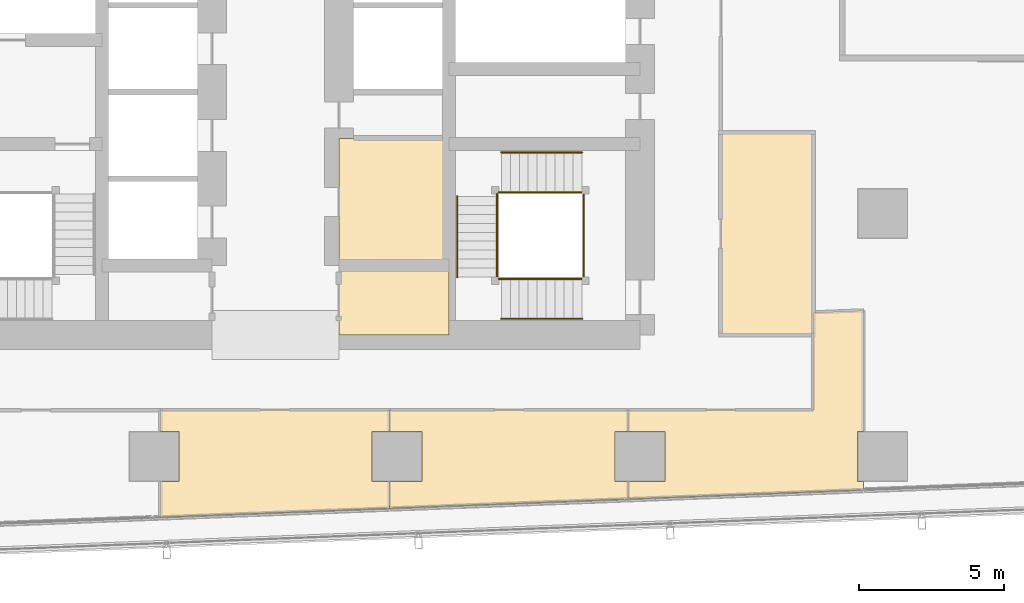
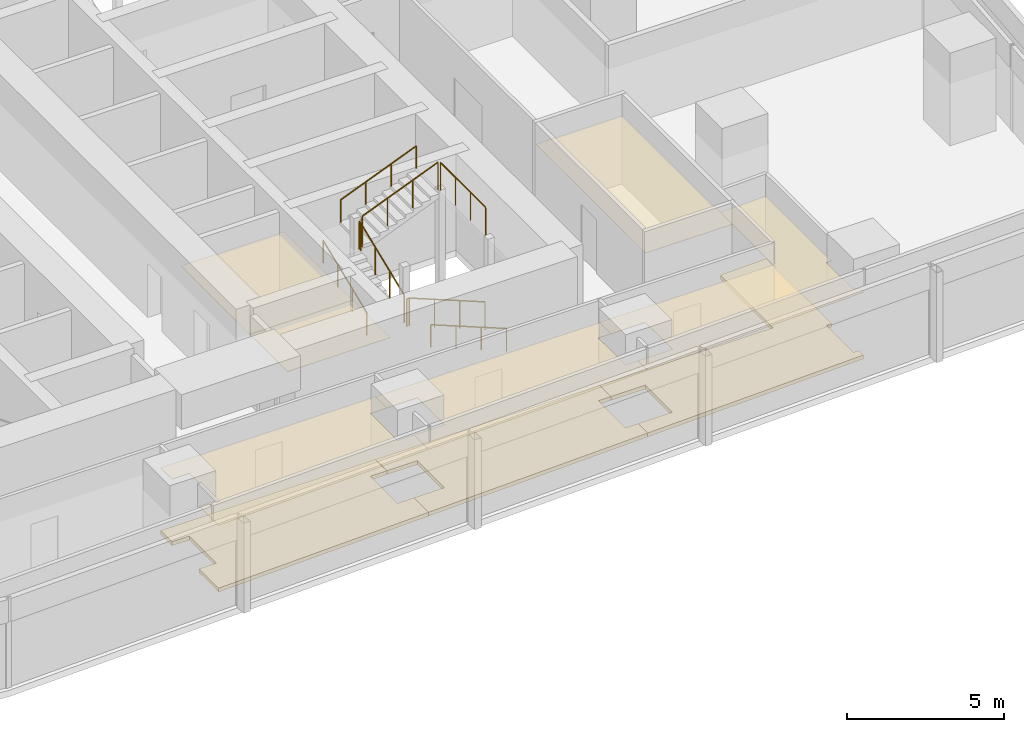
# One storey, part 37 of 40: 10 railings, 9 coverings.
"""IFC4 building model written with IfcOpenShell, lengths in metres."""

from ifc_helpers import new_model, si_unit, direction, frame, origin, origin_2d, place, context, subcontext, project, spatial, polyline, circle, outline, extrude, material, layer, layer_set, type_object, element, save


model = new_model("IFC4")

# Units and contexts
model_context = context("Model", 3, precision=1e-05, world=origin(), true_north=direction((0.0, 1.0)))
body_context = subcontext(model_context, "Body", "Model", "MODEL_VIEW")
ifc_project = project(units=[si_unit("LENGTHUNIT", "METRE"), si_unit("AREAUNIT", "SQUARE_METRE"), si_unit("VOLUMEUNIT", "CUBIC_METRE"), si_unit("PLANEANGLEUNIT", "RADIAN"), si_unit("MASSUNIT", "GRAM", prefix="KILO")], contexts=[model_context])

# Site, building, storey
site_placement = place(None, origin())
site = spatial("IfcSite", under=ifc_project, at=site_placement, CompositionType="ELEMENT")
building_placement = place(site_placement, origin())
building = spatial("IfcBuilding", under=site, at=building_placement, Name="Rekha Terrace Tower", CompositionType="ELEMENT")
storey_placement = place(building_placement, frame((0.0, 0.0, 99.050048828125)))
storey = spatial("IfcBuildingStorey", under=building, at=storey_placement, Name="L24", CompositionType="ELEMENT", Elevation=99.050048828125)

# Coverings
ifc_material_1 = material(Name="Mineral fibre tile in exposed grid", Category="finish")
ifc_layer_1 = layer(ifc_material_1, 0.02001953125)
ifc_layer_set_1 = layer_set([ifc_layer_1], Name="Mineral fibre tile in exposed grid")
covering_type_1 = type_object("IfcCoveringType", Name="CL1 600x1200 office grid ceiling", PredefinedType="CEILING", material=ifc_layer_set_1)
covering_1_placement = place(storey_placement, frame((0.0, 0.0, 2.579833984375)))
element("IfcCovering", 1, at=covering_1_placement, inside=storey, type_object=covering_type_1, Name="Ceiling L24-11", PredefinedType="CEILING", context=body_context, shape_type="SweptSolid", body=[
    extrude(outline(polyline([(41.740966796875, 15.93505859375), (41.740966796875, 15.0), (49.9990234375, 15.321044921875), (49.9990234375, 15.93505859375), (49.534912109375, 15.93505859375), (49.534912109375, 17.6650390625), (49.9990234375, 17.6650390625), (49.9990234375, 18.39990234375), (41.740966796875, 18.39990234375), (41.740966796875, 17.6650390625), (42.864990234375, 17.6650390625), (42.864990234375, 15.93505859375), (41.740966796875, 15.93505859375)])), origin(), (0.0, 0.0, 1.0), 0.02001953125),
])
covering_2_placement = place(storey_placement, frame((0.0, 0.0, 2.579833984375)))
element("IfcCovering", 2, at=covering_2_placement, inside=storey, type_object=covering_type_1, Name="Ceiling L24-12", PredefinedType="CEILING", context=body_context, shape_type="SweptSolid", body=[
    extrude(outline(polyline([(58.133056640625, 17.6650390625), (58.133056640625, 21.843017578125), (56.39990234375, 21.77490234375), (56.39990234375, 18.39990234375), (50.0, 18.39990234375), (50.0, 17.6650390625), (51.264892578125, 17.6650390625), (51.264892578125, 15.93505859375), (50.0, 15.93505859375), (50.0, 15.321044921875), (58.133056640625, 15.637939453125), (58.133056640625, 15.93505859375), (57.93505859375, 15.93505859375), (57.93505859375, 17.6650390625), (58.133056640625, 17.6650390625)])), origin(), (0.0, 0.0, 1.0), 0.02001953125),
])
covering_3_placement = place(storey_placement, frame((0.0, 0.0, 2.579833984375)))
element("IfcCovering", 3, at=covering_3_placement, inside=storey, type_object=covering_type_1, Name="Ceiling L24-18", PredefinedType="CEILING", context=body_context, shape_type="SweptSolid", body=[
    extrude(outline(polyline([(33.825927734375, 15.93505859375), (33.825927734375, 14.69189453125), (41.739990234375, 15.0), (41.739990234375, 15.93505859375), (41.135009765625, 15.93505859375), (41.135009765625, 17.6650390625), (41.739990234375, 17.6650390625), (41.739990234375, 18.39990234375), (33.825927734375, 18.39990234375), (33.825927734375, 17.6650390625), (34.465087890625, 17.6650390625), (34.465087890625, 15.93505859375), (33.825927734375, 15.93505859375)])), origin(), (0.0, 0.0, 1.0), 0.02001953125),
])
ifc_material_2 = material(Name="Fibre cement board", Category="finish")
ifc_layer_2 = layer(ifc_material_2, 0.014892578125)
ifc_layer_set_2 = layer_set([ifc_layer_2], Name="Fibre cement board")
covering_type_2 = type_object("IfcCoveringType", Name="CL2 moisture-resistant board ceiling", PredefinedType="CEILING", material=ifc_layer_set_2)
covering_4_placement = place(storey_placement, frame((0.0, 0.0, 2.5849609375)))
element("IfcCovering", 4, at=covering_4_placement, inside=storey, type_object=covering_type_2, Name="Ceiling L24-WCA", PredefinedType="CEILING", context=body_context, shape_type="SweptSolid", body=[
    extrude(outline(polyline([(43.800048828125, 23.39990234375), (40.0, 23.39990234375), (40.0, 21.0), (43.800048828125, 21.0), (43.800048828125, 23.39990234375)])), origin(), (0.0, 0.0, 1.0), 0.014892578125),
])
covering_5_placement = place(storey_placement, frame((0.0, 0.0, 2.5849609375)))
element("IfcCovering", 5, at=covering_5_placement, inside=storey, type_object=covering_type_2, Name="Ceiling L24-FSE1", PredefinedType="CEILING", context=body_context, shape_type="SweptSolid", body=[
    extrude(outline(polyline([(43.800048828125, 27.800048828125), (40.0, 27.800048828125), (40.0, 23.39990234375), (43.800048828125, 23.39990234375), (43.800048828125, 27.800048828125)])), origin(), (0.0, 0.0, 1.0), 0.014892578125),
])
covering_6_placement = place(storey_placement, frame((0.0, 0.0, 2.5849609375)))
element("IfcCovering", 6, at=covering_6_placement, inside=storey, type_object=covering_type_2, Name="Ceiling L24-WCM2", PredefinedType="CEILING", context=body_context, shape_type="SweptSolid", body=[
    extrude(outline(polyline([(56.39990234375, 28.0), (53.199951171875, 28.0), (53.199951171875, 21.0), (56.39990234375, 21.0), (56.39990234375, 28.0)])), origin(), (0.0, 0.0, 1.0), 0.014892578125),
])

# Railings
ifc_material_3 = material(Name="Stainless steel balustrade", Category="steel")
railing_type_1 = type_object("IfcRailingType", Name="GR1 1100 stair guard", PredefinedType="GUARDRAIL", material=ifc_material_3)
railing_1_placement = place(storey_placement, frame((48.39990234375, 22.93994140625, 0.125)))
element("IfcRailing", 7, at=railing_1_placement, inside=storey, type_object=railing_type_1, Name="Guard ST3 L24 flight 1", PredefinedType="GUARDRAIL", context=body_context, shape_type="SweptSolid", body=[
    extrude(circle(Radius=0.02392578125, at=origin_2d()), frame((0.0, 0.0, 1.076171875), z_axis=(-0.927431937212, 0.0, 0.373991980981), x_axis=(0.0, -1.0, 0.0)), (0.0, 0.0, 1.0), 3.008056640625),
    extrude(circle(Radius=0.02099609375, at=origin_2d()), origin(), (0.0, 0.0, 1.0), 1.052001953125),
    extrude(circle(Radius=0.02099609375, at=origin_2d()), frame((-0.929931640625, 0.0, 0.375)), (0.0, 0.0, 1.0), 1.052001953125),
    extrude(circle(Radius=0.02099609375, at=origin_2d()), frame((-1.85986328125, 0.0, 0.75)), (0.0, 0.0, 1.0), 1.052001953125),
    extrude(circle(Radius=0.02099609375, at=origin_2d()), frame((-2.789794921875, 0.0, 1.125)), (0.0, 0.0, 1.0), 1.052001953125),
])
railing_2_placement = place(storey_placement, frame((45.465087890625, 23.0, 1.375)))
element("IfcRailing", 8, at=railing_2_placement, inside=storey, type_object=railing_type_1, Name="Guard ST3 L24 flight 2", PredefinedType="GUARDRAIL", context=body_context, shape_type="SweptSolid", body=[
    extrude(circle(Radius=0.02392578125, at=origin_2d()), frame((0.0, 0.0, 1.076171875), z_axis=(0.0, 0.927443287984, 0.373963831907), x_axis=(-1.0, 0.0, 0.0)), (0.0, 0.0, 1.0), 3.00830078125),
    extrude(circle(Radius=0.02099609375, at=origin_2d()), origin(), (0.0, 0.0, 1.0), 1.052001953125),
    extrude(circle(Radius=0.02099609375, at=origin_2d()), frame((0.0, 0.929931640625, 0.375)), (0.0, 0.0, 1.0), 1.052001953125),
    extrude(circle(Radius=0.02099609375, at=origin_2d()), frame((0.0, 1.860107421875, 0.75)), (0.0, 0.0, 1.0), 1.052001953125),
    extrude(circle(Radius=0.02099609375, at=origin_2d()), frame((0.0, 2.7900390625, 1.125)), (0.0, 0.0, 1.0), 1.052001953125),
])
railing_3_placement = place(storey_placement, frame((45.610107421875, 25.93505859375, 2.625)))
element("IfcRailing", 9, at=railing_3_placement, inside=storey, type_object=railing_type_1, Name="Guard ST3 L24 flight 3", PredefinedType="GUARDRAIL", context=body_context, shape_type="SweptSolid", body=[
    extrude(circle(Radius=0.02392578125, at=origin_2d()), frame((0.0, 0.0, 1.076171875), z_axis=(0.927431937212, 0.0, 0.373991980981), x_axis=(0.0, 1.0, 0.0)), (0.0, 0.0, 1.0), 3.008056640625),
    extrude(circle(Radius=0.02099609375, at=origin_2d()), origin(), (0.0, 0.0, 1.0), 1.052001953125),
    extrude(circle(Radius=0.02099609375, at=origin_2d()), frame((0.929931640625, 0.0, 0.375)), (0.0, 0.0, 1.0), 1.052001953125),
    extrude(circle(Radius=0.02099609375, at=origin_2d()), frame((1.85986328125, 0.0, 0.75)), (0.0, 0.0, 1.0), 1.052001953125),
    extrude(circle(Radius=0.02099609375, at=origin_2d()), frame((2.789794921875, 0.0, 1.125)), (0.0, 0.0, 1.0), 1.052001953125),
])
railing_4_placement = place(storey_placement, frame((45.610107421875, 22.93994140625, 1.25)))
element("IfcRailing", 10, at=railing_4_placement, inside=storey, type_object=railing_type_1, Name="Guard ST3 L24 landing 1", PredefinedType="GUARDRAIL", context=body_context, shape_type="SweptSolid", body=[
    extrude(circle(Radius=0.02392578125, at=origin_2d()), frame((0.0, 0.0, 1.076171875), z_axis=(-1.0, 0.0, 0.0), x_axis=(0.0, -1.0, 0.0)), (0.0, 0.0, 1.0), 0.085205078125),
    extrude(circle(Radius=0.02099609375, at=origin_2d()), origin(), (0.0, 0.0, 1.0), 1.052001953125),
    extrude(circle(Radius=0.02099609375, at=origin_2d()), frame((-0.085205078125, 0.0, 0.0)), (0.0, 0.0, 1.0), 1.052001953125),
])
railing_5_placement = place(storey_placement, frame((45.465087890625, 25.7900390625, 2.5)))
element("IfcRailing", 11, at=railing_5_placement, inside=storey, type_object=railing_type_1, Name="Guard ST3 L24 landing 2", PredefinedType="GUARDRAIL", context=body_context, shape_type="SweptSolid", body=[
    extrude(circle(Radius=0.02392578125, at=origin_2d()), frame((0.0, 0.0, 1.076171875), z_axis=(0.0, 1.0, 0.0), x_axis=(-1.0, 0.0, 0.0)), (0.0, 0.0, 1.0), 0.0849609375),
    extrude(circle(Radius=0.02099609375, at=origin_2d()), origin(), (0.0, 0.0, 1.0), 1.052001953125),
    extrude(circle(Radius=0.02099609375, at=origin_2d()), frame((0.0, 0.0849609375, 0.0)), (0.0, 0.0, 1.0), 1.052001953125),
])
railing_6_placement = place(storey_placement, frame((45.610107421875, 25.93505859375, 2.5)))
element("IfcRailing", 12, at=railing_6_placement, inside=storey, type_object=railing_type_1, Name="Guard ST3 L24 landing 3", PredefinedType="GUARDRAIL", context=body_context, shape_type="SweptSolid", body=[
    extrude(circle(Radius=0.02392578125, at=origin_2d()), frame((0.0, 0.0, 1.076171875), z_axis=(-1.0, 0.0, 0.0), x_axis=(0.0, -1.0, 0.0)), (0.0, 0.0, 1.0), 0.085205078125),
    extrude(circle(Radius=0.02099609375, at=origin_2d()), origin(), (0.0, 0.0, 1.0), 1.052001953125),
    extrude(circle(Radius=0.02099609375, at=origin_2d()), frame((-0.085205078125, 0.0, 0.0)), (0.0, 0.0, 1.0), 1.052001953125),
])
railing_7_placement = place(storey_placement, frame((48.4599609375, 23.0, 3.75)))
element("IfcRailing", 13, at=railing_7_placement, inside=storey, type_object=railing_type_1, Name="Guard ST3 L24 landing 4", PredefinedType="GUARDRAIL", context=body_context, shape_type="SweptSolid", body=[
    extrude(circle(Radius=0.02392578125, at=origin_2d()), frame((0.0, 0.0, 1.076171875), z_axis=(0.0, 1.0, 0.0), x_axis=(-1.0, 0.0, 0.0)), (0.0, 0.0, 1.0), 2.875),
    extrude(circle(Radius=0.02099609375, at=origin_2d()), origin(), (0.0, 0.0, 1.0), 1.052001953125),
    extrude(circle(Radius=0.02099609375, at=origin_2d()), frame((0.0, 0.958251953125, 0.0)), (0.0, 0.0, 1.0), 1.052001953125),
    extrude(circle(Radius=0.02099609375, at=origin_2d()), frame((0.0, 1.916748046875, 0.0)), (0.0, 0.0, 1.0), 1.052001953125),
    extrude(circle(Radius=0.02099609375, at=origin_2d()), frame((0.0, 2.875, 0.0)), (0.0, 0.0, 1.0), 1.052001953125),
])
ifc_material_4 = material(Name="Stainless steel tube", Category="steel")
railing_type_2 = type_object("IfcRailingType", Name="HR1 900 stair handrail", PredefinedType="HANDRAIL", material=ifc_material_4)
railing_8_placement = place(storey_placement, frame((48.39990234375, 21.56005859375, 0.125)))
element("IfcRailing", 14, at=railing_8_placement, inside=storey, type_object=railing_type_2, Name="Handrail ST3 L24 flight 1", PredefinedType="HANDRAIL", context=body_context, shape_type="SweptSolid", body=[
    extrude(circle(Radius=0.02392578125, at=origin_2d()), frame((0.0, 0.0, 0.8759765625), z_axis=(-0.927431937212, 0.0, 0.373991980981), x_axis=(0.0, -1.0, 0.0)), (0.0, 0.0, 1.0), 3.008056640625),
    extrude(circle(Radius=0.02099609375, at=origin_2d()), origin(), (0.0, 0.0, 1.0), 0.851806640625),
    extrude(circle(Radius=0.02099609375, at=origin_2d()), frame((-0.929931640625, 0.0, 0.375)), (0.0, 0.0, 1.0), 0.851806640625),
    extrude(circle(Radius=0.02099609375, at=origin_2d()), frame((-1.85986328125, 0.0, 0.75)), (0.0, 0.0, 1.0), 0.851806640625),
    extrude(circle(Radius=0.02099609375, at=origin_2d()), frame((-2.789794921875, 0.0, 1.125)), (0.0, 0.0, 1.0), 0.851806640625),
])
railing_9_placement = place(storey_placement, frame((44.0849609375, 23.0, 1.375)))
element("IfcRailing", 15, at=railing_9_placement, inside=storey, type_object=railing_type_2, Name="Handrail ST3 L24 flight 2", PredefinedType="HANDRAIL", context=body_context, shape_type="SweptSolid", body=[
    extrude(circle(Radius=0.02392578125, at=origin_2d()), frame((0.0, 0.0, 0.8759765625), z_axis=(0.0, 0.927443287984, 0.373963831907), x_axis=(-1.0, 0.0, 0.0)), (0.0, 0.0, 1.0), 3.00830078125),
    extrude(circle(Radius=0.02099609375, at=origin_2d()), origin(), (0.0, 0.0, 1.0), 0.851806640625),
    extrude(circle(Radius=0.02099609375, at=origin_2d()), frame((0.0, 0.929931640625, 0.375)), (0.0, 0.0, 1.0), 0.851806640625),
    extrude(circle(Radius=0.02099609375, at=origin_2d()), frame((0.0, 1.860107421875, 0.75)), (0.0, 0.0, 1.0), 0.851806640625),
    extrude(circle(Radius=0.02099609375, at=origin_2d()), frame((0.0, 2.7900390625, 1.125)), (0.0, 0.0, 1.0), 0.851806640625),
])
railing_10_placement = place(storey_placement, frame((45.610107421875, 27.31494140625, 2.625)))
element("IfcRailing", 16, at=railing_10_placement, inside=storey, type_object=railing_type_2, Name="Handrail ST3 L24 flight 3", PredefinedType="HANDRAIL", context=body_context, shape_type="SweptSolid", body=[
    extrude(circle(Radius=0.02392578125, at=origin_2d()), frame((0.0, 0.0, 0.8759765625), z_axis=(0.927431937212, 0.0, 0.373991980981), x_axis=(0.0, 1.0, 0.0)), (0.0, 0.0, 1.0), 3.008056640625),
    extrude(circle(Radius=0.02099609375, at=origin_2d()), origin(), (0.0, 0.0, 1.0), 0.851806640625),
    extrude(circle(Radius=0.02099609375, at=origin_2d()), frame((0.929931640625, 0.0, 0.375)), (0.0, 0.0, 1.0), 0.851806640625),
    extrude(circle(Radius=0.02099609375, at=origin_2d()), frame((1.85986328125, 0.0, 0.75)), (0.0, 0.0, 1.0), 0.851806640625),
    extrude(circle(Radius=0.02099609375, at=origin_2d()), frame((2.789794921875, 0.0, 1.125)), (0.0, 0.0, 1.0), 0.851806640625),
])

# Coverings
ifc_material_5 = material(Name="Calcium sulphate panels on steel pedestals", Category="steel")
ifc_layer_3 = layer(ifc_material_5, 0.14990234375)
ifc_layer_set_3 = layer_set([ifc_layer_3], Name="Calcium sulphate panels on steel pedestals")
covering_type_3 = type_object("IfcCoveringType", Name="RF1 150 raised access floor", PredefinedType="FLOORING", material=ifc_layer_set_3)
covering_7_placement = place(storey_placement, origin())
element("IfcCovering", 17, at=covering_7_placement, inside=storey, type_object=covering_type_3, Name="Raised floor L24-11", PredefinedType="FLOORING", context=body_context, shape_type="SweptSolid", body=[
    extrude(outline(polyline([(41.740966796875, 15.93505859375), (41.740966796875, 15.0), (49.9990234375, 15.321044921875), (49.9990234375, 15.93505859375), (49.534912109375, 15.93505859375), (49.534912109375, 17.6650390625), (49.9990234375, 17.6650390625), (49.9990234375, 18.39990234375), (41.740966796875, 18.39990234375), (41.740966796875, 17.6650390625), (42.864990234375, 17.6650390625), (42.864990234375, 15.93505859375), (41.740966796875, 15.93505859375)])), origin(), (0.0, 0.0, 1.0), 0.14990234375),
])
covering_8_placement = place(storey_placement, origin())
element("IfcCovering", 18, at=covering_8_placement, inside=storey, type_object=covering_type_3, Name="Raised floor L24-12", PredefinedType="FLOORING", context=body_context, shape_type="SweptSolid", body=[
    extrude(outline(polyline([(58.133056640625, 17.6650390625), (58.133056640625, 21.843017578125), (56.39990234375, 21.77490234375), (56.39990234375, 18.39990234375), (50.0, 18.39990234375), (50.0, 17.6650390625), (51.264892578125, 17.6650390625), (51.264892578125, 15.93505859375), (50.0, 15.93505859375), (50.0, 15.321044921875), (58.133056640625, 15.637939453125), (58.133056640625, 15.93505859375), (57.93505859375, 15.93505859375), (57.93505859375, 17.6650390625), (58.133056640625, 17.6650390625)])), origin(), (0.0, 0.0, 1.0), 0.14990234375),
])
covering_9_placement = place(storey_placement, origin())
element("IfcCovering", 19, at=covering_9_placement, inside=storey, type_object=covering_type_3, Name="Raised floor L24-18", PredefinedType="FLOORING", context=body_context, shape_type="SweptSolid", body=[
    extrude(outline(polyline([(33.825927734375, 15.93505859375), (33.825927734375, 14.69189453125), (41.739990234375, 15.0), (41.739990234375, 15.93505859375), (41.135009765625, 15.93505859375), (41.135009765625, 17.6650390625), (41.739990234375, 17.6650390625), (41.739990234375, 18.39990234375), (33.825927734375, 18.39990234375), (33.825927734375, 17.6650390625), (34.465087890625, 17.6650390625), (34.465087890625, 15.93505859375), (33.825927734375, 15.93505859375)])), origin(), (0.0, 0.0, 1.0), 0.14990234375),
])

save(model, "model.ifc")
